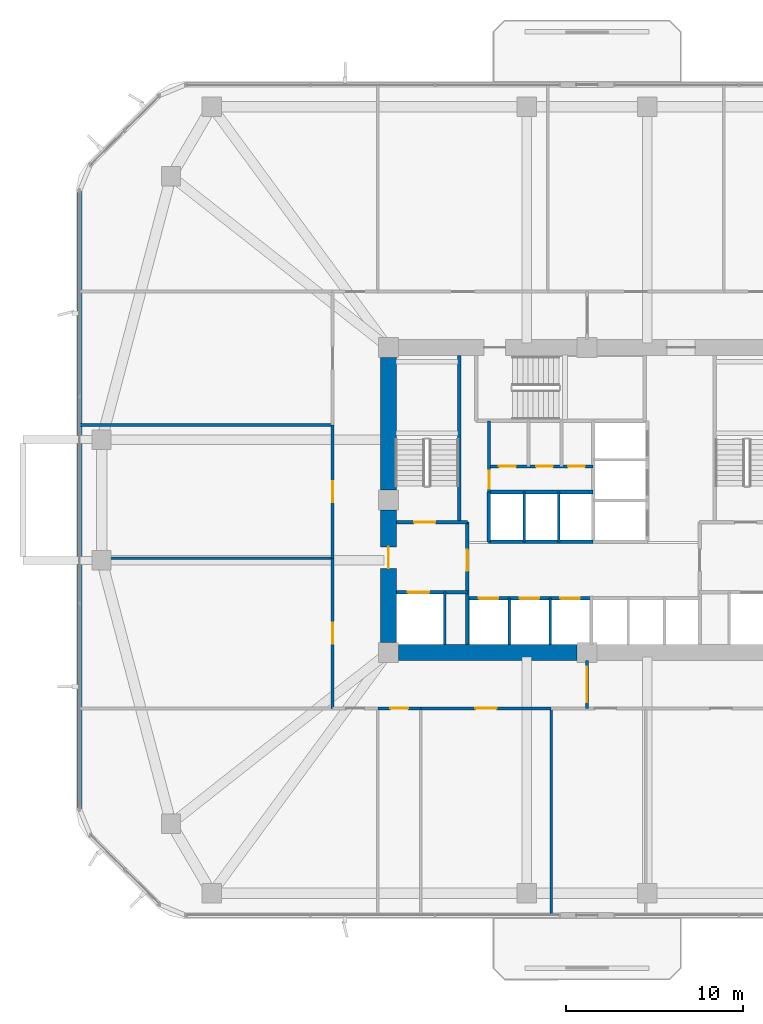
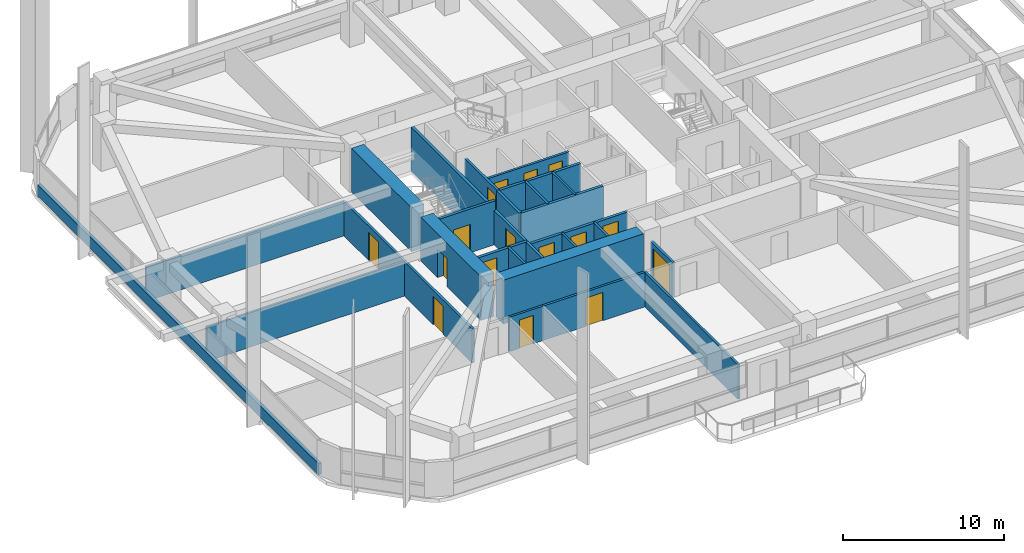
# One storey, part 9 of 17: 27 walls, 16 doors, 16 openings.
"""IFC4 building model written with IfcOpenShell, lengths in metres."""

from ifc_helpers import new_model, si_unit, derived_unit, direction, frame, frame_2d, origin, place, context, subcontext, project, spatial, rectangle, extrude, material, layer, layer_set, type_object, element, fill, save


model = new_model("IFC4")

# Units and contexts
model_context = context("Model", 3, precision=1e-05, world=origin(), true_north=direction((0.0, 1.0)))
body_context = subcontext(model_context, "Body", "Model", "MODEL_VIEW")
ifc_project = project(units=[si_unit("LENGTHUNIT", "METRE"), si_unit("AREAUNIT", "SQUARE_METRE"), si_unit("VOLUMEUNIT", "CUBIC_METRE"), si_unit("PLANEANGLEUNIT", "RADIAN"), si_unit("MASSUNIT", "GRAM", prefix="KILO"), derived_unit("THERMALTRANSMITTANCEUNIT", [(si_unit("POWERUNIT", "WATT"), 1), (si_unit("LENGTHUNIT", "METRE"), -2), (si_unit("THERMODYNAMICTEMPERATUREUNIT", "KELVIN"), -1)])], contexts=[model_context])

# Site, building, storey
site_placement = place(None, origin())
site = spatial("IfcSite", under=ifc_project, at=site_placement, CompositionType="ELEMENT")
building_placement = place(site_placement, origin())
building = spatial("IfcBuilding", under=site, at=building_placement, Name="Koralith Skygarden Medical Center", CompositionType="ELEMENT")
storey_placement = place(building_placement, frame((0.0, 0.0, 23.93994140625)))
storey = spatial("IfcBuildingStorey", under=building, at=storey_placement, Name="L05", CompositionType="ELEMENT", Elevation=23.93994140625)

# Walls
ifc_material_1 = material(Name="Gypsum Board Partition")
ifc_layer_1 = layer(ifc_material_1, 0.14990234375)
ifc_layer_set_1 = layer_set([ifc_layer_1], Name="Gypsum Board Partition")
wall_type_1 = type_object("IfcWallType", Name="Clinical Acoustic Partition 150", PredefinedType="PARTITIONING", material=ifc_layer_set_1)
wall_1_placement = place(storey_placement, frame((34.98095703125, 14.14990234375, 0.0), z_axis=(0.0, 0.0, 1.0), x_axis=(0.0, -1.0, 0.0)))
element("IfcWall", 1, at=wall_1_placement, inside=storey, type_object=wall_type_1, Name="L05 Clinical Acoustic Partition 150 W-PART-L05-S-03", PredefinedType="PARTITIONING", context=body_context, shape_type="SweptSolid", body=[
    extrude(rectangle(XDim=11.64990234375, YDim=0.14990234375, at=frame_2d((5.824951171875, 0.0))), origin(), (0.0, 0.0, 1.0), 2.610107421875),
])
for number, where, z_axis, x_axis, name in (
    (2, (22.64990234375, 22.610107421875, 0.0), (0.0, 0.0, 1.0), (-1.0, 0.0, 0.0), "L05 Clinical Acoustic Partition 150 W-PART-L05-W-01"),
    (3, (22.64990234375, 30.1298828125, 0.0), (0.0, 0.0, 1.0), (-1.0, 0.0, 0.0), "L05 Clinical Acoustic Partition 150 W-PART-L05-W-02"),
):
    element("IfcWall", number, at=place(storey_placement, frame(where, z_axis=z_axis, x_axis=x_axis)), inside=storey, type_object=wall_type_1, Name=name, PredefinedType="PARTITIONING", context=body_context, shape_type="SweptSolid", body=[
        extrude(rectangle(XDim=14.25, YDim=0.14990234375, at=frame_2d((7.125, 0.0))), origin(), (0.0, 0.0, 1.0), 2.610107421875),
    ])

# Wall, opening, door
ifc_layer_2 = layer(ifc_material_1, 0.1650390625)
ifc_layer_set_2 = layer_set([ifc_layer_2], Name="Gypsum Board Partition")
wall_type_2 = type_object("IfcWallType", Name="Clinical Corridor Partition 165", PredefinedType="PARTITIONING", material=ifc_layer_set_2)
wall_2_placement = place(storey_placement, frame((25.199951171875, 14.14990234375, 0.0), z_axis=(0.0, 0.0, 1.0), x_axis=(1.0, 0.0, 0.0)))
wall_2 = element("IfcWall", 4, at=wall_2_placement, inside=storey, type_object=wall_type_2, Name="L05 Clinical Corridor Partition 165 W-CORR-L05-S-02", PredefinedType="PARTITIONING", context=body_context, shape_type="SweptSolid", body=[
    extrude(rectangle(XDim=2.423095703125, YDim=0.1650390625, at=frame_2d((1.21142578125, 0.0))), origin(), (0.0, 0.0, 1.0), 2.610107421875),
])
opening_1_placement = place(wall_2_placement, frame((0.7119140625, 0.0, 0.0)))
opening_1 = element("IfcOpeningElement", 5, at=opening_1_placement, cuts=wall_2, Name="Opening D-SUP", PredefinedType="OPENING", context=body_context, shape_type="SweptSolid", body=[
    extrude(rectangle(XDim=1.0, YDim=2.14990234375, at=frame_2d((0.5, 1.074951171875))), frame((0.0, 0.092529296875, 0.0), z_axis=(0.0, -1.0, 0.0), x_axis=(1.0, 0.0, 0.0)), (0.0, 0.0, 1.0), 0.18505859375),
])
ifc_material_2 = material(Name="Aluminium 6063-T6", Category="aluminium")
door_type_1 = type_object("IfcDoorType", Name="Clinical Support Door D-SUP 1000", OperationType="NOTDEFINED", PredefinedType="DOOR", material=ifc_material_2)
door_1_placement = place(opening_1_placement, frame((1.0, 0.0, 0.0), z_axis=(0.0, 0.0, 1.0), x_axis=(-1.0, 0.0, 0.0)))
door_1 = element("IfcDoor", 6, at=door_1_placement, inside=storey, type_object=door_type_1, Name="L05 Clinical Examination Room 07 Door", OperationType="SINGLE_SWING_RIGHT", OverallHeight=2.14990234375, OverallWidth=1.0, PredefinedType="DOOR", context=body_context, shape_type="SweptSolid", body=[
    extrude(rectangle(XDim=1.0, YDim=2.14990234375, at=frame_2d((0.5, 1.074951171875))), frame((0.0, 0.02490234375, 0.0), z_axis=(0.0, -1.0, 0.0), x_axis=(1.0, 0.0, 0.0)), (0.0, 0.0, 1.0), 0.050048828125),
])
fill(opening_1, door_1)

wall_3_placement = place(storey_placement, frame((27.623046875, 14.14990234375, 0.0), z_axis=(0.0, 0.0, 1.0), x_axis=(1.0, 0.0, 0.0)))
wall_3 = element("IfcWall", 7, at=wall_3_placement, inside=storey, type_object=wall_type_2, Name="L05 Clinical Corridor Partition 165 W-CORR-L05-S-03", PredefinedType="PARTITIONING", context=body_context, shape_type="SweptSolid", body=[
    extrude(rectangle(XDim=7.35791015625, YDim=0.1650390625, at=frame_2d((3.678955078125, 0.0))), origin(), (0.0, 0.0, 1.0), 2.610107421875),
])
opening_2_placement = place(wall_3_placement, frame((3.0791015625, 0.0, 0.0)))
opening_2 = element("IfcOpeningElement", 8, at=opening_2_placement, cuts=wall_3, Name="Opening D-CLN", PredefinedType="OPENING", context=body_context, shape_type="SweptSolid", body=[
    extrude(rectangle(XDim=1.199951171875, YDim=2.14990234375, at=frame_2d((0.60009765625, 1.074951171875))), frame((0.0, 0.092529296875, 0.0), z_axis=(0.0, -1.0, 0.0), x_axis=(1.0, 0.0, 0.0)), (0.0, 0.0, 1.0), 0.18505859375),
])
door_type_2 = type_object("IfcDoorType", Name="Clinical Corridor Door D-CLN 1200", OperationType="NOTDEFINED", PredefinedType="DOOR", material=ifc_material_2)
door_2_placement = place(opening_2_placement, frame((1.199951171875, 0.0, 0.0), z_axis=(0.0, 0.0, 1.0), x_axis=(-1.0, 0.0, 0.0)))
door_2 = element("IfcDoor", 9, at=door_2_placement, inside=storey, type_object=door_type_2, Name="L05 Attending Physician Consultation Office 08 Door", OperationType="SINGLE_SWING_LEFT", OverallHeight=2.14990234375, OverallWidth=1.199951171875, PredefinedType="DOOR", context=body_context, shape_type="SweptSolid", body=[
    extrude(rectangle(XDim=1.199951171875, YDim=2.14990234375, at=frame_2d((0.60009765625, 1.074951171875))), frame((0.0, 0.02490234375, 0.0), z_axis=(0.0, -1.0, 0.0), x_axis=(1.0, 0.0, 0.0)), (0.0, 0.0, 1.0), 0.050048828125),
])
fill(opening_2, door_2)

wall_4_placement = place(storey_placement, frame((22.64990234375, 14.14990234375, 0.0), z_axis=(0.0, 0.0, 1.0), x_axis=(0.0, 1.0, 0.0)))
wall_4 = element("IfcWall", 10, at=wall_4_placement, inside=storey, type_object=wall_type_2, Name="L05 Clinical Corridor Partition 165 W-CORR-L05-W-01", PredefinedType="PARTITIONING", context=body_context, shape_type="SweptSolid", body=[
    extrude(rectangle(XDim=8.460205078125, YDim=0.1650390625, at=frame_2d((4.22998046875, 0.0))), origin(), (0.0, 0.0, 1.0), 2.610107421875),
])
opening_3_placement = place(wall_4_placement, frame((3.6298828125, 0.0, 0.0)))
opening_3 = element("IfcOpeningElement", 11, at=opening_3_placement, cuts=wall_4, Name="Opening D-CLN", PredefinedType="OPENING", context=body_context, shape_type="SweptSolid", body=[
    extrude(rectangle(XDim=1.199951171875, YDim=2.14990234375, at=frame_2d((0.60009765625, 1.074951171875))), frame((0.0, 0.092529296875, 0.0), z_axis=(0.0, -1.0, 0.0), x_axis=(1.0, 0.0, 0.0)), (0.0, 0.0, 1.0), 0.18505859375),
])
door_3_placement = place(opening_3_placement, frame((1.199951171875, 0.0, 0.0), z_axis=(0.0, 0.0, 1.0), x_axis=(-1.0, 0.0, 0.0)))
door_3 = element("IfcDoor", 12, at=door_3_placement, inside=storey, type_object=door_type_2, Name="L05 Clinical Examination Room 12 Door", OperationType="SINGLE_SWING_LEFT", OverallHeight=2.14990234375, OverallWidth=1.199951171875, PredefinedType="DOOR", context=body_context, shape_type="SweptSolid", body=[
    extrude(rectangle(XDim=1.199951171875, YDim=2.14990234375, at=frame_2d((0.60009765625, 1.074951171875))), frame((0.0, 0.02490234375, 0.0), z_axis=(0.0, -1.0, 0.0), x_axis=(1.0, 0.0, 0.0)), (0.0, 0.0, 1.0), 0.050048828125),
])
fill(opening_3, door_3)

wall_5_placement = place(storey_placement, frame((22.64990234375, 22.610107421875, 0.0), z_axis=(0.0, 0.0, 1.0), x_axis=(0.0, 1.0, 0.0)))
wall_5 = element("IfcWall", 13, at=wall_5_placement, inside=storey, type_object=wall_type_2, Name="L05 Clinical Corridor Partition 165 W-CORR-L05-W-02", PredefinedType="PARTITIONING", context=body_context, shape_type="SweptSolid", body=[
    extrude(rectangle(XDim=7.519775390625, YDim=0.1650390625, at=frame_2d((3.759765625, 0.0))), origin(), (0.0, 0.0, 1.0), 2.610107421875),
])
opening_4_placement = place(wall_5_placement, frame((3.159912109375, 0.0, 0.0)))
opening_4 = element("IfcOpeningElement", 14, at=opening_4_placement, cuts=wall_5, Name="Opening D-CLN", PredefinedType="OPENING", context=body_context, shape_type="SweptSolid", body=[
    extrude(rectangle(XDim=1.199951171875, YDim=2.14990234375, at=frame_2d((0.60009765625, 1.074951171875))), frame((0.0, 0.092529296875, 0.0), z_axis=(0.0, -1.0, 0.0), x_axis=(1.0, 0.0, 0.0)), (0.0, 0.0, 1.0), 0.18505859375),
])
door_4_placement = place(opening_4_placement, frame((1.199951171875, 0.0, 0.0), z_axis=(0.0, 0.0, 1.0), x_axis=(-1.0, 0.0, 0.0)))
door_4 = element("IfcDoor", 15, at=door_4_placement, inside=storey, type_object=door_type_2, Name="L05 Attending Physician Consultation Office 13 Door", OperationType="SINGLE_SWING_RIGHT", OverallHeight=2.14990234375, OverallWidth=1.199951171875, PredefinedType="DOOR", context=body_context, shape_type="SweptSolid", body=[
    extrude(rectangle(XDim=1.199951171875, YDim=2.14990234375, at=frame_2d((0.60009765625, 1.074951171875))), frame((0.0, 0.02490234375, 0.0), z_axis=(0.0, -1.0, 0.0), x_axis=(1.0, 0.0, 0.0)), (0.0, 0.0, 1.0), 0.050048828125),
])
fill(opening_4, door_4)

ifc_layer_3 = layer(ifc_material_1, 0.199951171875)
ifc_layer_set_3 = layer_set([ifc_layer_3], Name="Gypsum Board Partition")
wall_type_3 = type_object("IfcWallType", Name="Fire Shaft Wall 200", PredefinedType="SOLIDWALL", material=ifc_layer_set_3)
wall_6_placement = place(storey_placement, frame((26.25, 20.699951171875, 0.0), z_axis=(0.0, 0.0, 1.0), x_axis=(1.0, 0.0, 0.0)))
wall_6 = element("IfcWall", 16, at=wall_6_placement, inside=storey, type_object=wall_type_3, Name="L05 Fire Shaft Wall 200 W-CORE-L05-FF1-N", PredefinedType="SOLIDWALL", context=body_context, shape_type="SweptSolid", body=[
    extrude(rectangle(XDim=4.0, YDim=0.199951171875, at=frame_2d((2.0, 0.0))), origin(), (0.0, 0.0, 1.0), 2.610107421875),
])
opening_5_placement = place(wall_6_placement, frame((0.64990234375, 0.0, 0.0)))
opening_5 = element("IfcOpeningElement", 17, at=opening_5_placement, cuts=wall_6, Name="Opening LD-FF", PredefinedType="OPENING", context=body_context, shape_type="SweptSolid", body=[
    extrude(rectangle(XDim=1.199951171875, YDim=2.14990234375, at=frame_2d((0.60009765625, 1.074951171875))), frame((0.0, 0.10986328125, 0.0), z_axis=(0.0, -1.0, 0.0), x_axis=(1.0, 0.0, 0.0)), (0.0, 0.0, 1.0), 0.219970703125),
])
ifc_material_3 = material(Name="Steel ASTM A500 Grade C", Category="steel")
door_type_3 = type_object("IfcDoorType", Name="Fire Lift Sliding Landing Door LD-FF 1200", OperationType="NOTDEFINED", PredefinedType="DOOR", material=ifc_material_3)
door_5_placement = place(opening_5_placement, origin())
door_5 = element("IfcDoor", 18, at=door_5_placement, inside=storey, type_object=door_type_3, Name="L05 Fire Service Elevator FF1 Landing Door", OperationType="SLIDING_TO_LEFT", OverallHeight=2.14990234375, OverallWidth=1.199951171875, PredefinedType="DOOR", context=body_context, shape_type="SweptSolid", body=[
    extrude(rectangle(XDim=1.199951171875, YDim=2.14990234375, at=frame_2d((0.60009765625, 1.074951171875))), frame((0.0, 0.02490234375, 0.0), z_axis=(0.0, -1.0, 0.0), x_axis=(1.0, 0.0, 0.0)), (0.0, 0.0, 1.0), 0.050048828125),
])
fill(opening_5, door_5)

wall_7_placement = place(storey_placement, frame((30.25, 17.75, 0.0), z_axis=(0.0, 0.0, 1.0), x_axis=(0.0, 1.0, 0.0)))
wall_7 = element("IfcWall", 19, at=wall_7_placement, inside=storey, type_object=wall_type_3, Name="L05 Fire Shaft Wall 200 W-CORE-L05-FSAEW-E", PredefinedType="SOLIDWALL", context=body_context, shape_type="SweptSolid", body=[
    extrude(rectangle(XDim=6.89990234375, YDim=0.199951171875, at=frame_2d((3.449951171875, 0.0))), origin(), (0.0, 0.0, 1.0), 2.610107421875),
])
opening_6_placement = place(wall_7_placement, frame((4.14990234375, 0.0, 0.0)))
opening_6 = element("IfcOpeningElement", 20, at=opening_6_placement, cuts=wall_7, Name="Opening D-ST60", PredefinedType="OPENING", context=body_context, shape_type="SweptSolid", body=[
    extrude(rectangle(XDim=1.199951171875, YDim=2.14990234375, at=frame_2d((0.60009765625, 1.074951171875))), frame((0.0, 0.10986328125, 0.0), z_axis=(0.0, -1.0, 0.0), x_axis=(1.0, 0.0, 0.0)), (0.0, 0.0, 1.0), 0.219970703125),
])
door_type_4 = type_object("IfcDoorType", Name="Smokeproof Stair Fire Door FD60S 1200", OperationType="NOTDEFINED", PredefinedType="DOOR", material=ifc_material_3)
door_6_placement = place(opening_6_placement, origin())
door_6 = element("IfcDoor", 21, at=door_6_placement, inside=storey, type_object=door_type_4, Name="L05 West Firefighting Lobby Inner Fire Door", OperationType="SINGLE_SWING_LEFT", OverallHeight=2.14990234375, OverallWidth=1.199951171875, PredefinedType="DOOR", context=body_context, shape_type="SweptSolid", body=[
    extrude(rectangle(XDim=1.199951171875, YDim=2.14990234375, at=frame_2d((0.60009765625, 1.074951171875))), frame((0.0, 0.02490234375, 0.0), z_axis=(0.0, -1.0, 0.0), x_axis=(1.0, 0.0, 0.0)), (0.0, 0.0, 1.0), 0.050048828125),
])
fill(opening_6, door_6)

# Wall, openings, doors
wall_8_placement = place(storey_placement, frame((30.25, 20.360107421875, 0.0), z_axis=(0.0, 0.0, 1.0), x_axis=(1.0, 0.0, 0.0)))
wall_8 = element("IfcWall", 22, at=wall_8_placement, inside=storey, type_object=wall_type_3, Name="L05 Fire Shaft Wall 200 W-CORE-L05-PL-N", PredefinedType="SOLIDWALL", context=body_context, shape_type="SweptSolid", body=[
    extrude(rectangle(XDim=7.0, YDim=0.199951171875, at=frame_2d((3.5, 0.0))), origin(), (0.0, 0.0, 1.0), 2.610107421875),
])
opening_7_placement = place(wall_8_placement, frame((0.64990234375, 0.0, 0.0)))
opening_7 = element("IfcOpeningElement", 23, at=opening_7_placement, cuts=wall_8, Name="Opening LD-P", PredefinedType="OPENING", context=body_context, shape_type="SweptSolid", body=[
    extrude(rectangle(XDim=1.10009765625, YDim=2.14990234375, at=frame_2d((0.550048828125, 1.074951171875))), frame((0.0, 0.10986328125, 0.0), z_axis=(0.0, -1.0, 0.0), x_axis=(1.0, 0.0, 0.0)), (0.0, 0.0, 1.0), 0.219970703125),
])
opening_8_placement = place(wall_8_placement, frame((2.949951171875, 0.0, 0.0)))
opening_8 = element("IfcOpeningElement", 24, at=opening_8_placement, cuts=wall_8, Name="Opening LD-P", PredefinedType="OPENING", context=body_context, shape_type="SweptSolid", body=[
    extrude(rectangle(XDim=1.10009765625, YDim=2.14990234375, at=frame_2d((0.550048828125, 1.074951171875))), frame((0.0, 0.10986328125, 0.0), z_axis=(0.0, -1.0, 0.0), x_axis=(1.0, 0.0, 0.0)), (0.0, 0.0, 1.0), 0.219970703125),
])
opening_9_placement = place(wall_8_placement, frame((5.25, 0.0, 0.0)))
opening_9 = element("IfcOpeningElement", 25, at=opening_9_placement, cuts=wall_8, Name="Opening LD-P", PredefinedType="OPENING", context=body_context, shape_type="SweptSolid", body=[
    extrude(rectangle(XDim=1.10009765625, YDim=2.14990234375, at=frame_2d((0.550048828125, 1.074951171875))), frame((0.0, 0.10986328125, 0.0), z_axis=(0.0, -1.0, 0.0), x_axis=(1.0, 0.0, 0.0)), (0.0, 0.0, 1.0), 0.219970703125),
])
door_type_5 = type_object("IfcDoorType", Name="Passenger Lift Sliding Landing Door LD-P 1100", OperationType="NOTDEFINED", PredefinedType="DOOR", material=ifc_material_3)
door_7_placement = place(opening_7_placement, origin())
door_7 = element("IfcDoor", 26, at=door_7_placement, inside=storey, type_object=door_type_5, Name="L05 Passenger Elevator PL1 Landing Door", OperationType="SLIDING_TO_LEFT", OverallHeight=2.14990234375, OverallWidth=1.10009765625, PredefinedType="DOOR", context=body_context, shape_type="SweptSolid", body=[
    extrude(rectangle(XDim=1.10009765625, YDim=2.14990234375, at=frame_2d((0.550048828125, 1.074951171875))), frame((0.0, 0.02490234375, 0.0), z_axis=(0.0, -1.0, 0.0), x_axis=(1.0, 0.0, 0.0)), (0.0, 0.0, 1.0), 0.050048828125),
])
fill(opening_7, door_7)
door_8_placement = place(opening_8_placement, origin())
door_8 = element("IfcDoor", 27, at=door_8_placement, inside=storey, type_object=door_type_5, Name="L05 Passenger Elevator PL2 Landing Door", OperationType="SLIDING_TO_LEFT", OverallHeight=2.14990234375, OverallWidth=1.10009765625, PredefinedType="DOOR", context=body_context, shape_type="SweptSolid", body=[
    extrude(rectangle(XDim=1.10009765625, YDim=2.14990234375, at=frame_2d((0.550048828125, 1.074951171875))), frame((0.0, 0.02490234375, 0.0), z_axis=(0.0, -1.0, 0.0), x_axis=(1.0, 0.0, 0.0)), (0.0, 0.0, 1.0), 0.050048828125),
])
fill(opening_8, door_8)
door_9_placement = place(opening_9_placement, origin())
door_9 = element("IfcDoor", 28, at=door_9_placement, inside=storey, type_object=door_type_5, Name="L05 Passenger Elevator PL3 Landing Door", OperationType="SLIDING_TO_LEFT", OverallHeight=2.14990234375, OverallWidth=1.10009765625, PredefinedType="DOOR", context=body_context, shape_type="SweptSolid", body=[
    extrude(rectangle(XDim=1.10009765625, YDim=2.14990234375, at=frame_2d((0.550048828125, 1.074951171875))), frame((0.0, 0.02490234375, 0.0), z_axis=(0.0, -1.0, 0.0), x_axis=(1.0, 0.0, 0.0)), (0.0, 0.0, 1.0), 0.050048828125),
])
fill(opening_9, door_9)

# Walls
for number, where, z_axis, x_axis, name in (
    (29, (31.449951171875, 23.5400390625, 0.0), (0.0, 0.0, 1.0), (1.0, 0.0, 0.0), "L05 Fire Shaft Wall 200 W-CORE-L05-PH-S"),
    (30, (31.449951171875, 26.35009765625, 0.0), (0.0, 0.0, 1.0), (1.0, 0.0, 0.0), "L05 Fire Shaft Wall 200 W-CORE-L05-PH-N"),
):
    element("IfcWall", number, at=place(storey_placement, frame(where, z_axis=z_axis, x_axis=x_axis)), inside=storey, type_object=wall_type_3, Name=name, PredefinedType="SOLIDWALL", context=body_context, shape_type="SweptSolid", body=[
        extrude(rectangle(XDim=5.900146484375, YDim=0.199951171875, at=frame_2d((2.9501953125, 0.0))), origin(), (0.0, 0.0, 1.0), 2.610107421875),
    ])
wall_9_placement = place(storey_placement, frame((31.449951171875, 23.5400390625, 0.0), z_axis=(0.0, 0.0, 1.0), x_axis=(0.0, 1.0, 0.0)))
element("IfcWall", 31, at=wall_9_placement, inside=storey, type_object=wall_type_3, Name="L05 Fire Shaft Wall 200 W-CORE-L05-PH-W", PredefinedType="SOLIDWALL", context=body_context, shape_type="SweptSolid", body=[
    extrude(rectangle(XDim=2.81005859375, YDim=0.199951171875, at=frame_2d((1.405029296875, 0.0))), origin(), (0.0, 0.0, 1.0), 2.610107421875),
])

# Wall, opening, door
ifc_layer_4 = layer(ifc_material_1, 0.179931640625)
ifc_layer_set_4 = layer_set([ifc_layer_4], Name="Gypsum Board Partition")
wall_type_4 = type_object("IfcWallType", Name="Group I-2 Smoke Barrier Wall 180", PredefinedType="PARTITIONING", material=ifc_layer_set_4)
wall_10_placement = place(storey_placement, frame((37.0, 14.14990234375, 0.0), z_axis=(0.0, 0.0, 1.0), x_axis=(0.0, 1.0, 0.0)))
wall_10 = element("IfcWall", 32, at=wall_10_placement, inside=storey, type_object=wall_type_4, Name="L05 Group I-2 Smoke Barrier Wall 180 W-SMK-L05-S", PredefinedType="PARTITIONING", context=body_context, shape_type="SweptSolid", body=[
    extrude(rectangle(XDim=2.7001953125, YDim=0.179931640625, at=frame_2d((1.35009765625, 0.0))), origin(), (0.0, 0.0, 1.0), 2.610107421875),
])
opening_10_placement = place(wall_10_placement, frame((0.35009765625, 0.0, 0.0)))
opening_10 = element("IfcOpeningElement", 33, at=opening_10_placement, cuts=wall_10, Name="Opening D-SMK", PredefinedType="OPENING", context=body_context, shape_type="SweptSolid", body=[
    extrude(rectangle(XDim=2.0, YDim=2.199951171875, at=frame_2d((1.0, 1.10009765625))), frame((0.0, 0.099853515625, 0.0), z_axis=(0.0, -1.0, 0.0), x_axis=(1.0, 0.0, 0.0)), (0.0, 0.0, 1.0), 0.199951171875),
])
door_type_6 = type_object("IfcDoorType", Name="Cross-Corridor Double Smoke Door FD60S 2000", OperationType="NOTDEFINED", PredefinedType="DOOR", material=ifc_material_3)
door_10_placement = place(opening_10_placement, frame((2.0, 0.0, 0.0), z_axis=(0.0, 0.0, 1.0), x_axis=(-1.0, 0.0, 0.0)))
door_10 = element("IfcDoor", 34, at=door_10_placement, inside=storey, type_object=door_type_6, Name="L05 S Smoke Compartment Cross-Corridor Door", OperationType="DOUBLE_DOOR_SINGLE_SWING", OverallHeight=2.199951171875, OverallWidth=2.0, PredefinedType="DOOR", context=body_context, shape_type="SweptSolid", body=[
    extrude(rectangle(XDim=2.0, YDim=2.199951171875, at=frame_2d((1.0, 1.10009765625))), frame((0.0, 0.02490234375, 0.0), z_axis=(0.0, -1.0, 0.0), x_axis=(1.0, 0.0, 0.0)), (0.0, 0.0, 1.0), 0.050048828125),
])
fill(opening_10, door_10)

# Walls
ifc_material_4 = material(Name="Warm Oolitic Limestone Cladding", Category="masonry")
ifc_layer_5 = layer(ifc_material_4, 0.239990234375)
ifc_layer_set_5 = layer_set([ifc_layer_5], Name="Warm Oolitic Limestone Cladding")
wall_type_5 = type_object("IfcWallType", Name="Limestone Spandrel Sill Backup Wall 240", PredefinedType="SOLIDWALL", material=ifc_layer_set_5)
wall_11_placement = place(storey_placement, frame((8.3798828125, 43.344970703125, 0.0), z_axis=(0.0, 0.0, 1.0), x_axis=(0.0, -1.0, 0.0)))
element("IfcWall", 35, at=wall_11_placement, inside=storey, type_object=wall_type_5, Name="L05 Sill Spandrel W", PredefinedType="SOLIDWALL", context=body_context, shape_type="SweptSolid", body=[
    extrude(rectangle(XDim=34.889892578125, YDim=0.239990234375, at=frame_2d((17.44482421875, 0.0))), origin(), (0.0, 0.0, 1.0), 0.85009765625),
])
ifc_material_5 = material(Name="Concrete C70/85", Category="concrete")
ifc_layer_6 = layer(ifc_material_5, 0.89990234375)
ifc_layer_set_6 = layer_set([ifc_layer_6], Name="Concrete C70/85")
wall_type_6 = type_object("IfcWallType", Name="Lower Core Shear Wall 900", PredefinedType="SHEAR", material=ifc_layer_set_6)
wall_12_placement = place(storey_placement, frame((26.364990234375, 17.300048828125, 0.0), z_axis=(0.0, 0.0, 1.0), x_axis=(1.0, 0.0, 0.0)))
element("IfcWall", 36, at=wall_12_placement, inside=storey, type_object=wall_type_6, Name="L05 Core Shear Wall Segment 1", PredefinedType="SHEAR", context=body_context, shape_type="SweptSolid", body=[
    extrude(rectangle(XDim=10.070068359375, YDim=0.89990234375, at=frame_2d((5.03515625, 0.0))), origin(), (0.0, 0.0, 1.0), 3.320068359375),
])
wall_13_placement = place(storey_placement, frame((25.800048828125, 33.93505859375, 0.0), z_axis=(0.0, 0.0, 1.0), x_axis=(0.0, -1.0, 0.0)))
element("IfcWall", 37, at=wall_13_placement, inside=storey, type_object=wall_type_6, Name="L05 Core Shear Wall Segment 7", PredefinedType="SHEAR", context=body_context, shape_type="SweptSolid", body=[
    extrude(rectangle(XDim=7.469970703125, YDim=0.89990234375, at=frame_2d((3.73486328125, 0.0))), origin(), (0.0, 0.0, 1.0), 3.320068359375),
])

# Wall, opening, door
wall_14_placement = place(storey_placement, frame((25.800048828125, 25.3349609375, 0.0), z_axis=(0.0, 0.0, 1.0), x_axis=(0.0, -1.0, 0.0)))
wall_14 = element("IfcWall", 38, at=wall_14_placement, inside=storey, type_object=wall_type_6, Name="L05 Core Shear Wall Segment 8", PredefinedType="SHEAR", context=body_context, shape_type="SweptSolid", body=[
    extrude(rectangle(XDim=7.469970703125, YDim=0.89990234375, at=frame_2d((3.73486328125, 0.0))), origin(), (0.0, 0.0, 1.0), 3.320068359375),
])
opening_11_placement = place(wall_14_placement, frame((2.0849609375, 0.0, 0.0)))
opening_11 = element("IfcOpeningElement", 39, at=opening_11_placement, cuts=wall_14, Name="Opening D-ST60", PredefinedType="OPENING", context=body_context, shape_type="SweptSolid", body=[
    extrude(rectangle(XDim=1.199951171875, YDim=2.14990234375, at=frame_2d((0.60009765625, 1.074951171875))), frame((0.0, 0.4599609375, 0.0), z_axis=(0.0, -1.0, 0.0), x_axis=(1.0, 0.0, 0.0)), (0.0, 0.0, 1.0), 0.919921875),
])
door_11_placement = place(opening_11_placement, frame((1.199951171875, 0.0, 0.0), z_axis=(0.0, 0.0, 1.0), x_axis=(-1.0, 0.0, 0.0)))
door_11 = element("IfcDoor", 40, at=door_11_placement, inside=storey, type_object=door_type_4, Name="L05 West Corridor to Firefighting Lobby Door", OperationType="SINGLE_SWING_LEFT", OverallHeight=2.14990234375, OverallWidth=1.199951171875, PredefinedType="DOOR", context=body_context, shape_type="SweptSolid", body=[
    extrude(rectangle(XDim=1.199951171875, YDim=2.14990234375, at=frame_2d((0.60009765625, 1.074951171875))), frame((0.0, 0.02490234375, 0.0), z_axis=(0.0, -1.0, 0.0), x_axis=(1.0, 0.0, 0.0)), (0.0, 0.0, 1.0), 0.050048828125),
])
fill(opening_11, door_11)

ifc_layer_7 = layer(ifc_material_1, 0.1650390625)
ifc_layer_set_7 = layer_set([ifc_layer_7], Name="Gypsum Board Partition")
wall_type_7 = type_object("IfcWallType", Name="Plumbing Wet Wall 165", PredefinedType="PLUMBINGWALL", material=ifc_layer_set_7)
wall_15_placement = place(storey_placement, frame((31.47998046875, 26.320068359375, 0.0), z_axis=(0.0, 0.0, 1.0), x_axis=(0.0, 1.0, 0.0)))
wall_15 = element("IfcWall", 41, at=wall_15_placement, inside=storey, type_object=wall_type_7, Name="L05 Plumbing Wet Wall 165 W-CORE-L05-FLEX-W", PredefinedType="PLUMBINGWALL", context=body_context, shape_type="SweptSolid", body=[
    extrude(rectangle(XDim=4.0400390625, YDim=0.1650390625, at=frame_2d((2.02001953125, 0.0))), origin(), (0.0, 0.0, 1.0), 2.610107421875),
])
opening_12_placement = place(wall_15_placement, frame((0.219970703125, 0.0, 0.0)))
opening_12 = element("IfcOpeningElement", 42, at=opening_12_placement, cuts=wall_15, Name="Opening D-SUP", PredefinedType="OPENING", context=body_context, shape_type="SweptSolid", body=[
    extrude(rectangle(XDim=1.0, YDim=2.14990234375, at=frame_2d((0.5, 1.074951171875))), frame((0.0, 0.092529296875, 0.0), z_axis=(0.0, -1.0, 0.0), x_axis=(1.0, 0.0, 0.0)), (0.0, 0.0, 1.0), 0.18505859375),
])
door_12_placement = place(opening_12_placement, frame((1.0, 0.0, 0.0), z_axis=(0.0, 0.0, 1.0), x_axis=(-1.0, 0.0, 0.0)))
door_12 = element("IfcDoor", 43, at=door_12_placement, inside=storey, type_object=door_type_1, Name="L05 Core Service Alcove Door", OperationType="SINGLE_SWING_LEFT", OverallHeight=2.14990234375, OverallWidth=1.0, PredefinedType="DOOR", context=body_context, shape_type="SweptSolid", body=[
    extrude(rectangle(XDim=1.0, YDim=2.14990234375, at=frame_2d((0.5, 1.074951171875))), frame((0.0, 0.02490234375, 0.0), z_axis=(0.0, -1.0, 0.0), x_axis=(1.0, 0.0, 0.0)), (0.0, 0.0, 1.0), 0.050048828125),
])
fill(opening_12, door_12)

# Wall, openings, doors
wall_16_placement = place(storey_placement, frame((31.47998046875, 27.800048828125, 0.0), z_axis=(0.0, 0.0, 1.0), x_axis=(1.0, 0.0, 0.0)))
wall_16 = element("IfcWall", 44, at=wall_16_placement, inside=storey, type_object=wall_type_7, Name="L05 Plumbing Wet Wall 165 W-CORE-L05-FLEX-H2", PredefinedType="PLUMBINGWALL", context=body_context, shape_type="SweptSolid", body=[
    extrude(rectangle(XDim=5.8701171875, YDim=0.1650390625, at=frame_2d((2.93505859375, 0.0))), origin(), (0.0, 0.0, 1.0), 2.610107421875),
])
opening_13_placement = place(wall_16_placement, frame((0.550048828125, 0.0, 0.0)))
opening_13 = element("IfcOpeningElement", 45, at=opening_13_placement, cuts=wall_16, Name="Opening D-WC", PredefinedType="OPENING", context=body_context, shape_type="SweptSolid", body=[
    extrude(rectangle(XDim=0.949951171875, YDim=2.10009765625, at=frame_2d((0.47509765625, 1.050048828125))), frame((0.0, 0.092529296875, 0.0), z_axis=(0.0, -1.0, 0.0), x_axis=(1.0, 0.0, 0.0)), (0.0, 0.0, 1.0), 0.18505859375),
])
opening_14_placement = place(wall_16_placement, frame((2.64990234375, 0.0, 0.0)))
opening_14 = element("IfcOpeningElement", 46, at=opening_14_placement, cuts=wall_16, Name="Opening D-WC", PredefinedType="OPENING", context=body_context, shape_type="SweptSolid", body=[
    extrude(rectangle(XDim=0.949951171875, YDim=2.10009765625, at=frame_2d((0.47509765625, 1.050048828125))), frame((0.0, 0.092529296875, 0.0), z_axis=(0.0, -1.0, 0.0), x_axis=(1.0, 0.0, 0.0)), (0.0, 0.0, 1.0), 0.18505859375),
])
opening_15_placement = place(wall_16_placement, frame((4.449951171875, 0.0, 0.0)))
opening_15 = element("IfcOpeningElement", 47, at=opening_15_placement, cuts=wall_16, Name="Opening D-WC", PredefinedType="OPENING", context=body_context, shape_type="SweptSolid", body=[
    extrude(rectangle(XDim=0.949951171875, YDim=2.10009765625, at=frame_2d((0.47509765625, 1.050048828125))), frame((0.0, 0.092529296875, 0.0), z_axis=(0.0, -1.0, 0.0), x_axis=(1.0, 0.0, 0.0)), (0.0, 0.0, 1.0), 0.18505859375),
])
door_type_7 = type_object("IfcDoorType", Name="Accessible Toilet Door D-WC 950", OperationType="NOTDEFINED", PredefinedType="DOOR", material=ifc_material_2)
door_13_placement = place(opening_13_placement, origin())
door_13 = element("IfcDoor", 48, at=door_13_placement, inside=storey, type_object=door_type_7, Name="L05 Core Accessible WC Door", OperationType="SINGLE_SWING_LEFT", OverallHeight=2.10009765625, OverallWidth=0.949951171875, PredefinedType="DOOR", context=body_context, shape_type="SweptSolid", body=[
    extrude(rectangle(XDim=0.949951171875, YDim=2.10009765625, at=frame_2d((0.47509765625, 1.050048828125))), frame((0.0, 0.02490234375, 0.0), z_axis=(0.0, -1.0, 0.0), x_axis=(1.0, 0.0, 0.0)), (0.0, 0.0, 1.0), 0.050048828125),
])
fill(opening_13, door_13)
door_14_placement = place(opening_14_placement, origin())
door_14 = element("IfcDoor", 49, at=door_14_placement, inside=storey, type_object=door_type_7, Name="L05 Soiled Sluice Door", OperationType="SINGLE_SWING_LEFT", OverallHeight=2.10009765625, OverallWidth=0.949951171875, PredefinedType="DOOR", context=body_context, shape_type="SweptSolid", body=[
    extrude(rectangle(XDim=0.949951171875, YDim=2.10009765625, at=frame_2d((0.47509765625, 1.050048828125))), frame((0.0, 0.02490234375, 0.0), z_axis=(0.0, -1.0, 0.0), x_axis=(1.0, 0.0, 0.0)), (0.0, 0.0, 1.0), 0.050048828125),
])
fill(opening_14, door_14)
door_15_placement = place(opening_15_placement, origin())
door_15 = element("IfcDoor", 50, at=door_15_placement, inside=storey, type_object=door_type_7, Name="L05 Clean Linen Store Door", OperationType="SINGLE_SWING_RIGHT", OverallHeight=2.10009765625, OverallWidth=0.949951171875, PredefinedType="DOOR", context=body_context, shape_type="SweptSolid", body=[
    extrude(rectangle(XDim=0.949951171875, YDim=2.10009765625, at=frame_2d((0.47509765625, 1.050048828125))), frame((0.0, 0.02490234375, 0.0), z_axis=(0.0, -1.0, 0.0), x_axis=(1.0, 0.0, 0.0)), (0.0, 0.0, 1.0), 0.050048828125),
])
fill(opening_15, door_15)

# Walls
ifc_layer_8 = layer(ifc_material_1, 0.14990234375)
ifc_layer_set_8 = layer_set([ifc_layer_8], Name="Gypsum Board Partition")
wall_type_8 = type_object("IfcWallType", Name="Shaft Partition Wall 150", PredefinedType="PARTITIONING", material=ifc_layer_set_8)
wall_17_placement = place(storey_placement, frame((28.969970703125, 17.75, 0.0), z_axis=(0.0, 0.0, 1.0), x_axis=(0.0, 1.0, 0.0)))
element("IfcWall", 51, at=wall_17_placement, inside=storey, type_object=wall_type_8, Name="L05 Shaft Partition Wall 150 W-CORE-L05-RSRW-DIV", PredefinedType="PARTITIONING", context=body_context, shape_type="SweptSolid", body=[
    extrude(rectangle(XDim=2.949951171875, YDim=0.14990234375, at=frame_2d((1.47509765625, 0.0))), origin(), (0.0, 0.0, 1.0), 2.610107421875),
])
for number, where, z_axis, x_axis, name in (
    (52, (32.6201171875, 17.75, 0.0), (0.0, 0.0, 1.0), (0.0, 1.0, 0.0), "L05 Shaft Partition Wall 150 W-CORE-L05-PL-D1"),
    (53, (34.919921875, 17.75, 0.0), (0.0, 0.0, 1.0), (0.0, 1.0, 0.0), "L05 Shaft Partition Wall 150 W-CORE-L05-PL-D2"),
):
    element("IfcWall", number, at=place(storey_placement, frame(where, z_axis=z_axis, x_axis=x_axis)), inside=storey, type_object=wall_type_8, Name=name, PredefinedType="PARTITIONING", context=body_context, shape_type="SweptSolid", body=[
        extrude(rectangle(XDim=2.610107421875, YDim=0.14990234375, at=frame_2d((1.30517578125, 0.0))), origin(), (0.0, 0.0, 1.0), 2.610107421875),
    ])
for number, where, z_axis, x_axis, name in (
    (54, (33.449951171875, 23.5400390625, 0.0), (0.0, 0.0, 1.0), (0.0, 1.0, 0.0), "L05 Shaft Partition Wall 150 W-CORE-L05-PH-D1"),
    (55, (35.39990234375, 23.5400390625, 0.0), (0.0, 0.0, 1.0), (0.0, 1.0, 0.0), "L05 Shaft Partition Wall 150 W-CORE-L05-PH-D2"),
):
    element("IfcWall", number, at=place(storey_placement, frame(where, z_axis=z_axis, x_axis=x_axis)), inside=storey, type_object=wall_type_8, Name=name, PredefinedType="PARTITIONING", context=body_context, shape_type="SweptSolid", body=[
        extrude(rectangle(XDim=2.81005859375, YDim=0.14990234375, at=frame_2d((1.405029296875, 0.0))), origin(), (0.0, 0.0, 1.0), 2.610107421875),
    ])
ifc_material_6 = material(Name="Concrete C45/55", Category="concrete")
ifc_layer_9 = layer(ifc_material_6, 0.199951171875)
ifc_layer_set_9 = layer_set([ifc_layer_9], Name="Concrete C45/55")
wall_type_9 = type_object("IfcWallType", Name="Structural Stair Shaft Wall 200", PredefinedType="SHEAR", material=ifc_layer_set_9)
wall_18_placement = place(storey_placement, frame((29.800048828125, 24.64990234375, 0.0), z_axis=(0.0, 0.0, 1.0), x_axis=(0.0, 1.0, 0.0)))
element("IfcWall", 56, at=wall_18_placement, inside=storey, type_object=wall_type_9, Name="L05 Structural Stair Shaft Wall 200 W-CORE-L05-ST1-E", PredefinedType="SHEAR", context=body_context, shape_type="SweptSolid", body=[
    extrude(rectangle(XDim=9.400146484375, YDim=0.199951171875, at=frame_2d((4.7001953125, 0.0))), origin(), (0.0, 0.0, 1.0), 3.320068359375),
])

# Wall, opening, door
wall_19_placement = place(storey_placement, frame((26.25, 24.64990234375, 0.0), z_axis=(0.0, 0.0, 1.0), x_axis=(1.0, 0.0, 0.0)))
wall_19 = element("IfcWall", 57, at=wall_19_placement, inside=storey, type_object=wall_type_9, Name="L05 Structural Stair Shaft Wall 200 W-CORE-L05-ST1-S", PredefinedType="SHEAR", context=body_context, shape_type="SweptSolid", body=[
    extrude(rectangle(XDim=4.0, YDim=0.199951171875, at=frame_2d((2.0, 0.0))), origin(), (0.0, 0.0, 1.0), 3.320068359375),
])
opening_16_placement = place(wall_19_placement, frame((1.0, 0.0, 0.0)))
opening_16 = element("IfcOpeningElement", 58, at=opening_16_placement, cuts=wall_19, Name="Opening D-ST60", PredefinedType="OPENING", context=body_context, shape_type="SweptSolid", body=[
    extrude(rectangle(XDim=1.199951171875, YDim=2.14990234375, at=frame_2d((0.60009765625, 1.074951171875))), frame((0.0, 0.10986328125, 0.0), z_axis=(0.0, -1.0, 0.0), x_axis=(1.0, 0.0, 0.0)), (0.0, 0.0, 1.0), 0.219970703125),
])
door_16_placement = place(opening_16_placement, origin())
door_16 = element("IfcDoor", 59, at=door_16_placement, inside=storey, type_object=door_type_4, Name="L05 Exit Stair ST1 Fire Door", OperationType="SINGLE_SWING_LEFT", OverallHeight=2.14990234375, OverallWidth=1.199951171875, PredefinedType="DOOR", context=body_context, shape_type="SweptSolid", body=[
    extrude(rectangle(XDim=1.199951171875, YDim=2.14990234375, at=frame_2d((0.60009765625, 1.074951171875))), frame((0.0, 0.02490234375, 0.0), z_axis=(0.0, -1.0, 0.0), x_axis=(1.0, 0.0, 0.0)), (0.0, 0.0, 1.0), 0.050048828125),
])
fill(opening_16, door_16)

save(model, "model.ifc")
